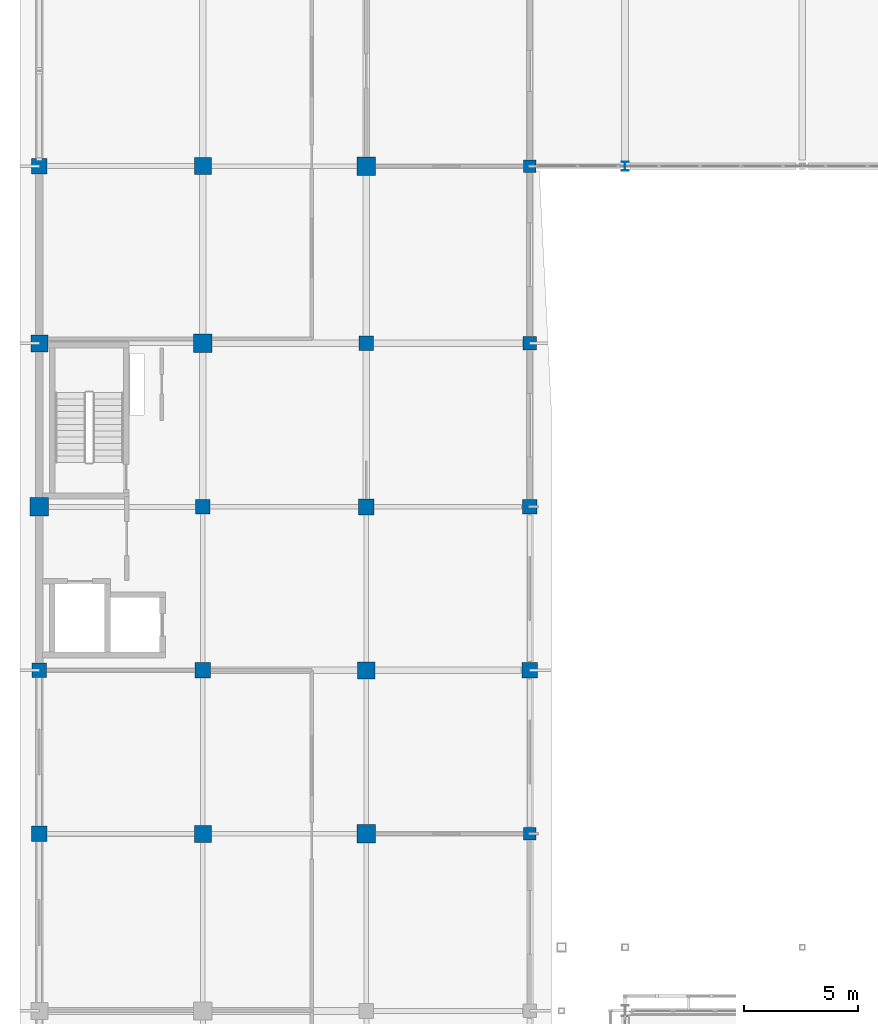
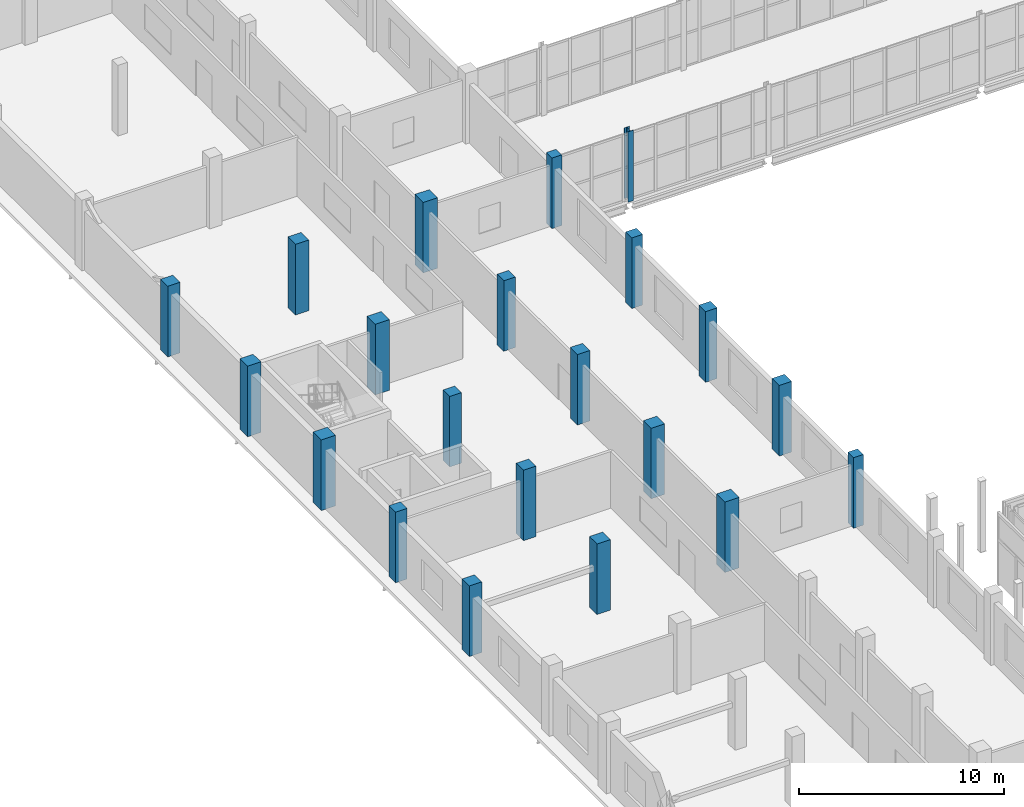
# One storey, part 15 of 121: 21 columns.
"""IFC4 building model written with IfcOpenShell, lengths in metres."""

from ifc_helpers import new_model, si_unit, direction, frame, origin, origin_2d, place, context, subcontext, project, spatial, rectangle, i_section, extrude, material, material_profile, profile_set, type_object, element, save


model = new_model("IFC4")

# Units and contexts
model_context = context("Model", 3, precision=1e-05, world=origin(), true_north=direction((0.0, 1.0)))
body_context = subcontext(model_context, "Body", "Model", "MODEL_VIEW")
ifc_project = project(units=[si_unit("LENGTHUNIT", "METRE"), si_unit("AREAUNIT", "SQUARE_METRE"), si_unit("VOLUMEUNIT", "CUBIC_METRE"), si_unit("PLANEANGLEUNIT", "RADIAN"), si_unit("MASSUNIT", "GRAM", prefix="KILO")], contexts=[model_context])

# Site, building, storey
site_placement = place(None, origin())
site = spatial("IfcSite", under=ifc_project, at=site_placement, CompositionType="ELEMENT")
building_placement = place(site_placement, origin())
building = spatial("IfcBuilding", under=site, at=building_placement, Name="Vinh Khe Railworks Police Headquarters", CompositionType="ELEMENT")
storey_placement = place(building_placement, frame((0.0, 0.0, 4.800048828125)))
storey = spatial("IfcBuildingStorey", under=building, at=storey_placement, Name="L01", CompositionType="ELEMENT", Elevation=4.800048828125)

# Columns
ifc_material_1 = material(Name="Concrete C40/50 (B40)", Category="concrete")
ifc_material_profile_1 = material_profile(ifc_material_1, rectangle(XDim=0.550048828125, YDim=0.550048828125, at=origin_2d()), Name="RC 550x550")
ifc_profile_set_1 = profile_set([ifc_material_profile_1], Name="Concrete C40/50 (B40)")
column_type_1 = type_object("IfcColumnType", Name="RC Column RC 550x550", PredefinedType="COLUMN", material=ifc_profile_set_1)
for number, where, z_axis, x_axis, name in (
    (1, (22.199951171875, 66.60009765625, 0.0), (0.0, 0.0, 1.0), (1.0, 0.0, 0.0), "Column COL-L01-CC-06-0582"),
    (2, (22.199951171875, 96.0, 0.0), (0.0, 0.0, 1.0), (1.0, 0.0, 0.0), "Column COL-L01-CC-06-0618"),
):
    element("IfcColumn", number, at=place(storey_placement, frame(where, z_axis=z_axis, x_axis=x_axis)), inside=storey, type_object=column_type_1, Name=name, PredefinedType="COLUMN", context=body_context, shape_type="SweptSolid", body=[
        extrude(rectangle(XDim=0.550048828125, YDim=0.550048828125, at=origin_2d()), origin(), (0.0, 0.0, 1.0), 4.199951171875),
    ])
ifc_material_profile_2 = material_profile(ifc_material_1, rectangle(XDim=0.60009765625, YDim=0.60009765625, at=origin_2d()), Name="RC 600x600")
ifc_profile_set_2 = profile_set([ifc_material_profile_2], Name="Concrete C40/50 (B40)")
column_type_2 = type_object("IfcColumnType", Name="RC Column RC 600x600", PredefinedType="COLUMN", material=ifc_profile_set_2)
column_1_placement = place(storey_placement, frame((22.199951171875, 88.199951171875, 0.0), z_axis=(0.0, 0.0, 1.0), x_axis=(1.0, 0.0, 0.0)))
element("IfcColumn", 3, at=column_1_placement, inside=storey, type_object=column_type_2, Name="Column COL-L01-CC-05-0609", PredefinedType="COLUMN", context=body_context, shape_type="SweptSolid", body=[
    extrude(rectangle(XDim=0.60009765625, YDim=0.60009765625, at=origin_2d()), origin(), (0.0, 0.0, 1.0), 4.199951171875),
])
ifc_material_profile_3 = material_profile(ifc_material_1, rectangle(XDim=0.64990234375, YDim=0.64990234375, at=origin_2d()), Name="RC 650x650")
ifc_profile_set_3 = profile_set([ifc_material_profile_3], Name="Concrete C40/50 (B40)")
column_type_3 = type_object("IfcColumnType", Name="RC Column RC 650x650", PredefinedType="COLUMN", material=ifc_profile_set_3)
for number, where, z_axis, x_axis, name in (
    (4, (0.60009765625, 73.800048828125, 0.0), (0.0, 0.0, 1.0), (1.0, 0.0, 0.0), "Column COL-L01-CC-04-0099"),
    (5, (7.800048828125, 81.0, 0.0), (0.0, 0.0, 1.0), (1.0, 0.0, 0.0), "Column COL-L01-CC-04-0276"),
    (6, (15.0, 88.199951171875, 0.0), (0.0, 0.0, 1.0), (1.0, 0.0, 0.0), "Column COL-L01-CC-04-0453"),
    (7, (22.199951171875, 81.0, 0.0), (0.0, 0.0, 1.0), (1.0, 0.0, 0.0), "Column COL-L01-CC-04-0600"),
):
    element("IfcColumn", number, at=place(storey_placement, frame(where, z_axis=z_axis, x_axis=x_axis)), inside=storey, type_object=column_type_3, Name=name, PredefinedType="COLUMN", context=body_context, shape_type="SweptSolid", body=[
        extrude(rectangle(XDim=0.64990234375, YDim=0.64990234375, at=origin_2d()), origin(), (0.0, 0.0, 1.0), 4.199951171875),
    ])
ifc_material_profile_4 = material_profile(ifc_material_1, rectangle(XDim=0.699951171875, YDim=0.699951171875, at=origin_2d()), Name="RC 700x700")
ifc_profile_set_4 = profile_set([ifc_material_profile_4], Name="Concrete C40/50 (B40)")
column_type_4 = type_object("IfcColumnType", Name="RC Column RC 700x700", PredefinedType="COLUMN", material=ifc_profile_set_4)
for number, where, z_axis, x_axis, name in (
    (8, (0.60009765625, 66.60009765625, 0.0), (0.0, 0.0, 1.0), (1.0, 0.0, 0.0), "Column COL-L01-CC-03-0089"),
    (9, (0.60009765625, 96.0, 0.0), (0.0, 0.0, 1.0), (1.0, 0.0, 0.0), "Column COL-L01-CC-03-0129"),
    (10, (7.800048828125, 73.800048828125, 0.0), (0.0, 0.0, 1.0), (1.0, 0.0, 0.0), "Column COL-L01-CC-03-0266"),
    (11, (15.0, 81.0, 0.0), (0.0, 0.0, 1.0), (1.0, 0.0, 0.0), "Column COL-L01-CC-03-0443"),
    (12, (22.199951171875, 73.800048828125, 0.0), (0.0, 0.0, 1.0), (1.0, 0.0, 0.0), "Column COL-L01-CC-03-0591"),
):
    element("IfcColumn", number, at=place(storey_placement, frame(where, z_axis=z_axis, x_axis=x_axis)), inside=storey, type_object=column_type_4, Name=name, PredefinedType="COLUMN", context=body_context, shape_type="SweptSolid", body=[
        extrude(rectangle(XDim=0.699951171875, YDim=0.699951171875, at=origin_2d()), origin(), (0.0, 0.0, 1.0), 4.199951171875),
    ])
ifc_material_profile_5 = material_profile(ifc_material_1, rectangle(XDim=0.75, YDim=0.75, at=origin_2d()), Name="RC 750x750")
ifc_profile_set_5 = profile_set([ifc_material_profile_5], Name="Concrete C40/50 (B40)")
column_type_5 = type_object("IfcColumnType", Name="RC Column RC 750x750", PredefinedType="COLUMN", material=ifc_profile_set_5)
for number, where, z_axis, x_axis, name in (
    (13, (0.60009765625, 88.199951171875, 0.0), (0.0, 0.0, 1.0), (1.0, 0.0, 0.0), "Column COL-L01-CC-02-0119"),
    (14, (7.800048828125, 66.60009765625, 0.0), (0.0, 0.0, 1.0), (1.0, 0.0, 0.0), "Column COL-L01-CC-02-0256"),
    (15, (7.800048828125, 96.0, 0.0), (0.0, 0.0, 1.0), (1.0, 0.0, 0.0), "Column COL-L01-CC-02-0296"),
    (16, (15.0, 73.800048828125, 0.0), (0.0, 0.0, 1.0), (1.0, 0.0, 0.0), "Column COL-L01-CC-02-0433"),
):
    element("IfcColumn", number, at=place(storey_placement, frame(where, z_axis=z_axis, x_axis=x_axis)), inside=storey, type_object=column_type_5, Name=name, PredefinedType="COLUMN", context=body_context, shape_type="SweptSolid", body=[
        extrude(rectangle(XDim=0.75, YDim=0.75, at=origin_2d()), origin(), (0.0, 0.0, 1.0), 4.199951171875),
    ])
ifc_material_profile_6 = material_profile(ifc_material_1, rectangle(XDim=0.800048828125, YDim=0.800048828125, at=origin_2d()), Name="RC 800x800")
ifc_profile_set_6 = profile_set([ifc_material_profile_6], Name="Concrete C40/50 (B40)")
column_type_6 = type_object("IfcColumnType", Name="RC Column RC 800x800", PredefinedType="COLUMN", material=ifc_profile_set_6)
for number, where, z_axis, x_axis, name in (
    (17, (0.60009765625, 81.0, 0.0), (0.0, 0.0, 1.0), (1.0, 0.0, 0.0), "Column COL-L01-CC-01-0109"),
    (18, (7.800048828125, 88.199951171875, 0.0), (0.0, 0.0, 1.0), (1.0, 0.0, 0.0), "Column COL-L01-CC-01-0286"),
    (19, (15.0, 66.60009765625, 0.0), (0.0, 0.0, 1.0), (1.0, 0.0, 0.0), "Column COL-L01-CC-01-0423"),
    (20, (15.0, 96.0, 0.0), (0.0, 0.0, 1.0), (1.0, 0.0, 0.0), "Column COL-L01-CC-01-0463"),
):
    element("IfcColumn", number, at=place(storey_placement, frame(where, z_axis=z_axis, x_axis=x_axis)), inside=storey, type_object=column_type_6, Name=name, PredefinedType="COLUMN", context=body_context, shape_type="SweptSolid", body=[
        extrude(rectangle(XDim=0.800048828125, YDim=0.800048828125, at=origin_2d()), origin(), (0.0, 0.0, 1.0), 4.199951171875),
    ])
ifc_material_2 = material(Name="Steel S355JR", Category="steel")
ifc_material_profile_7 = material_profile(ifc_material_2, i_section(OverallWidth=0.300048828125, OverallDepth=0.389892578125, WebThickness=0.010986328125, FlangeThickness=0.01904296875, FilletRadius=0.027099609375, at=origin_2d()), Name="HEA 400")
ifc_profile_set_7 = profile_set([ifc_material_profile_7], Name="Steel S355JR")
column_type_7 = type_object("IfcColumnType", Name="Steel Column HEA 400", PredefinedType="COLUMN", material=ifc_profile_set_7)
column_2_placement = place(storey_placement, frame((26.39990234375, 96.0, 0.0), z_axis=(0.0, 0.0, 1.0), x_axis=(1.0, 0.0, 0.0)))
element("IfcColumn", 21, at=column_2_placement, inside=storey, type_object=column_type_7, Name="Column COL-L01-SC-15-0764", PredefinedType="COLUMN", context=body_context, shape_type="SweptSolid", body=[
    extrude(i_section(OverallWidth=0.300048828125, OverallDepth=0.389892578125, WebThickness=0.010986328125, FlangeThickness=0.01904296875, FilletRadius=0.027099609375, at=origin_2d()), origin(), (0.0, 0.0, 1.0), 4.199951171875),
])

save(model, "model.ifc")
